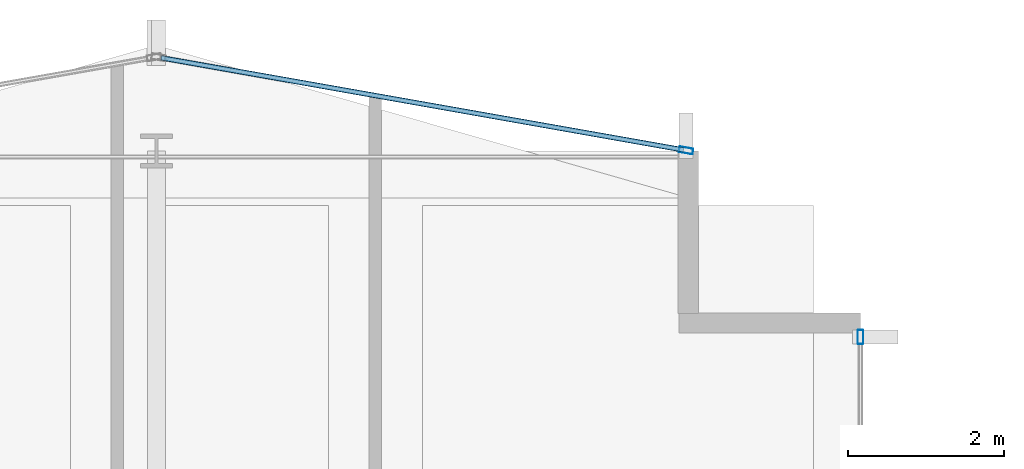
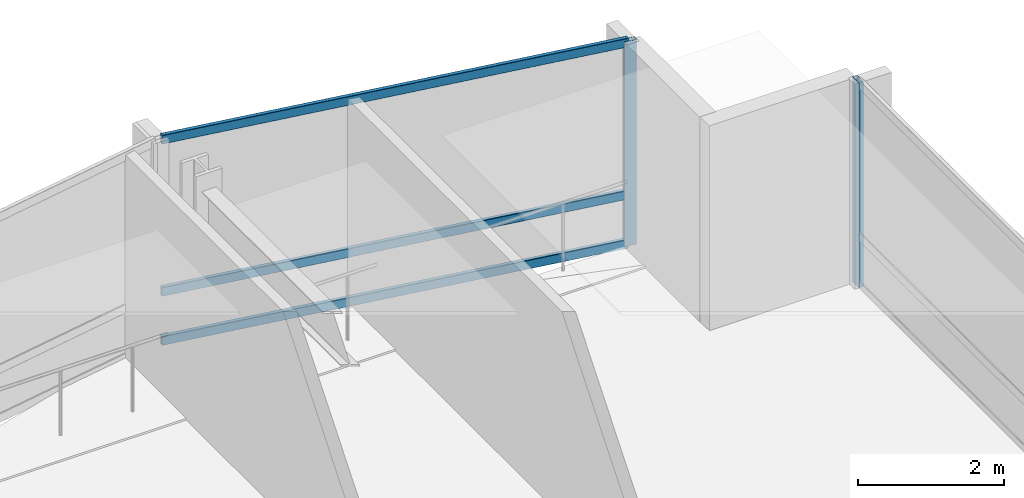
# One storey, part 20 of 29: 5 members, 2 elements without a shape of their own.
"""IFC4 building model written with IfcOpenShell, lengths in metres."""

from ifc_helpers import new_model, si_unit, direction, frame, origin, origin_2d, place, context, subcontext, project, spatial, hollow_rectangle, extrude, material, layer, layer_set, material_profile, profile_set, type_object, element, aggregate, save


model = new_model("IFC4")

# Units and contexts
model_context = context("Model", 3, precision=1e-05, world=origin(), true_north=direction((0.0, 1.0)))
body_context = subcontext(model_context, "Body", "Model", "MODEL_VIEW")
ifc_project = project(units=[si_unit("LENGTHUNIT", "METRE"), si_unit("AREAUNIT", "SQUARE_METRE"), si_unit("VOLUMEUNIT", "CUBIC_METRE"), si_unit("PLANEANGLEUNIT", "RADIAN"), si_unit("MASSUNIT", "GRAM", prefix="KILO")], contexts=[model_context])

# Site, building, storey
site_placement = place(None, origin())
site = spatial("IfcSite", under=ifc_project, at=site_placement, CompositionType="ELEMENT")
building_placement = place(site_placement, origin())
building = spatial("IfcBuilding", under=site, at=building_placement, Name="Solvaryn Broadcast Tower", CompositionType="ELEMENT")
storey_placement = place(building_placement, frame((0.0, 0.0, 143.300048828125)))
storey = spatial("IfcBuildingStorey", under=building, at=storey_placement, Name="L35", CompositionType="ELEMENT", Elevation=143.300048828125)

# Curtain wall, member
ifc_material_1 = material(Name="Aluminium and Terracotta Unitised Curtain Wall", Category="masonry")
ifc_layer = layer(ifc_material_1, 0.199951171875)
ifc_layer_set = layer_set([ifc_layer], Name="CW-SYS2-LOWMID")
curtain_wall_type = type_object("IfcCurtainWallType", Name="CW-SYS2-LOWMID", PredefinedType="NOTDEFINED", material=ifc_layer_set)
curtain_wall_1_placement = place(storey_placement, origin())
curtain_wall_1 = element("IfcCurtainWall", 1, at=curtain_wall_1_placement, inside=storey, type_object=curtain_wall_type, Name="L35 Curtain Wall IV", PredefinedType="NOTDEFINED")
ifc_material_2 = material(Name="Anodised Aluminium 6063-T6", Category="aluminium")
ifc_material_profile_1 = material_profile(ifc_material_2, hollow_rectangle(XDim=0.074951171875, YDim=0.179931640625, WallThickness=0.00390625, InnerFilletRadius=0.00390625, OuterFilletRadius=0.008056640625, at=origin_2d()))
ifc_profile_set_1 = profile_set([ifc_material_profile_1], Name="Anodised Aluminium 6063-T6")
member_type_1 = type_object("IfcMemberType", Name="CW-MUL-180", PredefinedType="MULLION", material=ifc_profile_set_1)
member_1_placement = place(storey_placement, frame((27.0, 51.6201171875, 0.0), z_axis=(0.0, 0.0, 1.0), x_axis=(1.0, 0.0, 0.0)))
member_1 = element("IfcMember", 2, at=member_1_placement, type_object=member_type_1, Name="CWS2 mullion 1", PredefinedType="MULLION", context=body_context, shape_type="SweptSolid", body=[
    extrude(hollow_rectangle(XDim=0.074951171875, YDim=0.179931640625, WallThickness=0.00390625, InnerFilletRadius=0.00390625, OuterFilletRadius=0.008056640625, at=origin_2d()), origin(), (0.0, 0.0, 1.0), 3.419921875),
])
aggregate(curtain_wall_1, [member_1])

# Curtain wall, members
curtain_wall_2_placement = place(storey_placement, origin())
curtain_wall_2 = element("IfcCurtainWall", 3, at=curtain_wall_2_placement, inside=storey, type_object=curtain_wall_type, Name="L35 Curtain Wall NT1", PredefinedType="NOTDEFINED")
member_2_placement = place(storey_placement, frame((24.7705078125, 54.005126953125, 0.0), z_axis=(0.0, 0.0, 1.0), x_axis=(-0.173785333901, -0.984783558819, 0.0)))
member_2 = element("IfcMember", 4, at=member_2_placement, type_object=member_type_1, Name="CWS2 mullion 1", PredefinedType="MULLION", context=body_context, shape_type="SweptSolid", body=[
    extrude(hollow_rectangle(XDim=0.074951171875, YDim=0.179931640625, WallThickness=0.00390625, InnerFilletRadius=0.00390625, OuterFilletRadius=0.008056640625, at=origin_2d()), origin(), (0.0, 0.0, 1.0), 3.419921875),
])
ifc_material_3 = material(Name="Anodised Aluminium 6063-T6", Category="aluminium")
ifc_material_profile_2 = material_profile(ifc_material_3, hollow_rectangle(XDim=0.06494140625, YDim=0.14990234375, WallThickness=0.00390625, InnerFilletRadius=0.00390625, OuterFilletRadius=0.008056640625, at=origin_2d()))
ifc_profile_set_2 = profile_set([ifc_material_profile_2], Name="Anodised Aluminium 6063-T6")
member_type_2 = type_object("IfcMemberType", Name="CW-TRN-150", PredefinedType="USERDEFINED", material=ifc_profile_set_2)
member_3_placement = place(storey_placement, frame((24.740966796875, 54.010498046875, 0.030029296875), z_axis=(-0.984788629673, 0.173756596613, 0.0), x_axis=(-0.173756596613, -0.984788629673, 0.0)))
member_3 = element("IfcMember", 5, at=member_3_placement, type_object=member_type_2, Name="CWS2 transom 1.1", ObjectType="TRANSOM", PredefinedType="USERDEFINED", context=body_context, shape_type="SweptSolid", body=[
    extrude(hollow_rectangle(XDim=0.06494140625, YDim=0.14990234375, WallThickness=0.00390625, InnerFilletRadius=0.00390625, OuterFilletRadius=0.008056640625, at=origin_2d()), origin(), (0.0, 0.0, 1.0), 6.78515625),
])
member_4_placement = place(storey_placement, frame((24.740966796875, 54.010498046875, 0.849853515625), z_axis=(-0.984788629673, 0.173756596613, 0.0), x_axis=(-0.173756596613, -0.984788629673, 0.0)))
member_4 = element("IfcMember", 6, at=member_4_placement, type_object=member_type_2, Name="CWS2 transom 1.2", ObjectType="TRANSOM", PredefinedType="USERDEFINED", context=body_context, shape_type="SweptSolid", body=[
    extrude(hollow_rectangle(XDim=0.06494140625, YDim=0.14990234375, WallThickness=0.00390625, InnerFilletRadius=0.00390625, OuterFilletRadius=0.008056640625, at=origin_2d()), origin(), (0.0, 0.0, 1.0), 6.78515625),
])
member_5_placement = place(storey_placement, frame((24.740966796875, 54.010498046875, 3.389892578125), z_axis=(-0.984788629673, 0.173756596613, 0.0), x_axis=(-0.173756596613, -0.984788629673, 0.0)))
member_5 = element("IfcMember", 7, at=member_5_placement, type_object=member_type_2, Name="CWS2 transom 1.3", ObjectType="TRANSOM", PredefinedType="USERDEFINED", context=body_context, shape_type="SweptSolid", body=[
    extrude(hollow_rectangle(XDim=0.06494140625, YDim=0.14990234375, WallThickness=0.00390625, InnerFilletRadius=0.00390625, OuterFilletRadius=0.008056640625, at=origin_2d()), origin(), (0.0, 0.0, 1.0), 6.78515625),
])
aggregate(curtain_wall_2, [member_2, member_3, member_4, member_5])

save(model, "model.ifc")
